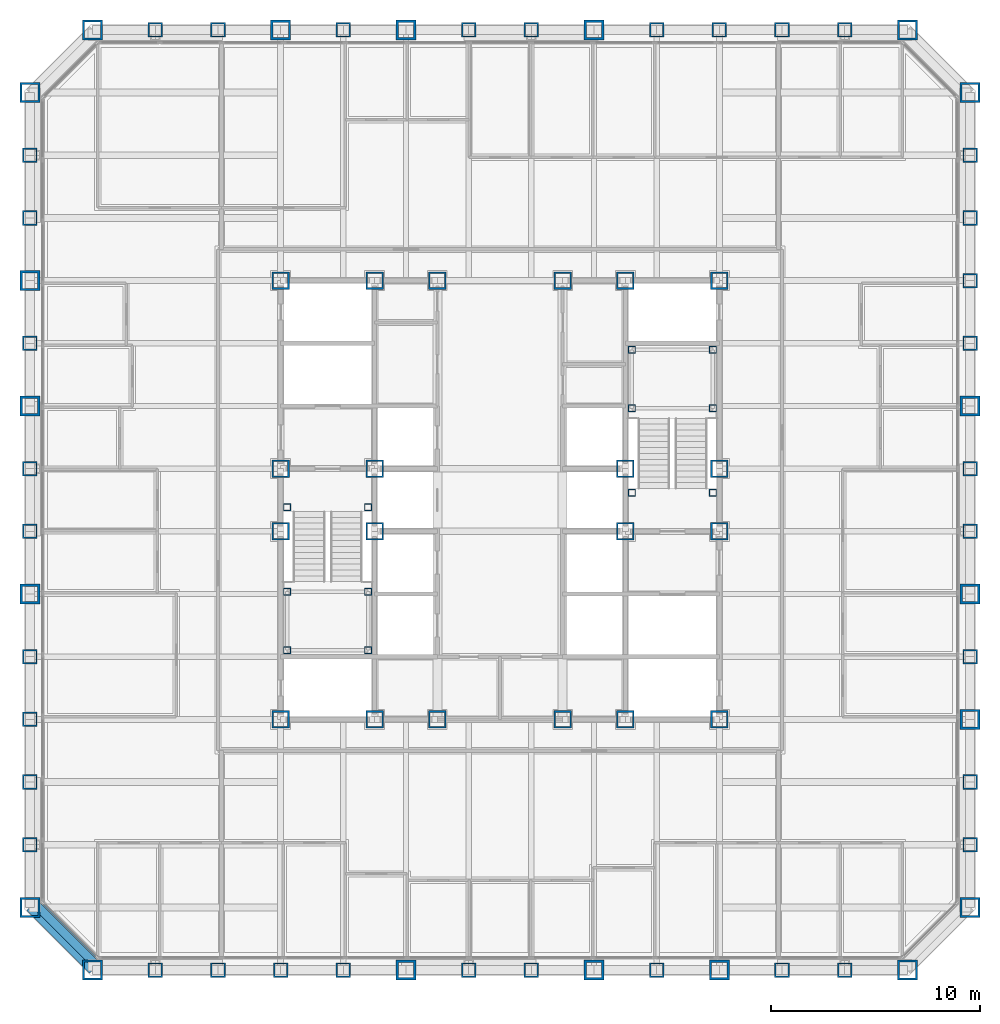
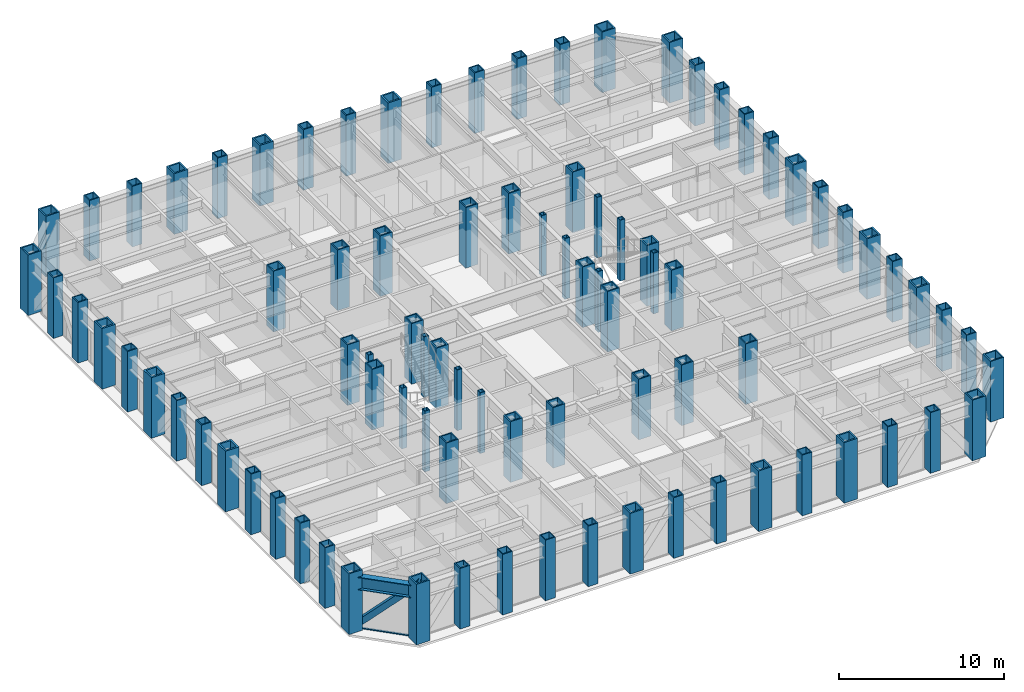
# One storey, part 1 of 16: 88 columns, 2 members, 1 beam, 1 element without a shape of its own.
"""IFC4 building model written with IfcOpenShell, lengths in metres."""

import ifcopenshell
import ifcopenshell.guid

model = None  # the IFC model being written
_history = None  # IfcOwnerHistory: only IFC2X3 demands one
_inside = {}  # id of a spatial element -> (the spatial element, [elements in it])
_under = {}  # id of a project, library or spatial element -> (it, [spatial elements below it])
_declared = {}  # id of a project -> (the project, [libraries it declares])
_typed = {}  # id of a type object -> (the type object, [elements of that type])
_made_of = {}  # id of a material, layer set ... -> (it, [elements and type objects made of it])


def new_model(schema):
    """Start an empty IFC model of exactly this schema.

    Asked for "IFC4X3", IfcOpenShell would pick the latest addendum, in which some entities
    have other attributes; the version numbers below select the first issue.
    IFC2X3 requires an IfcOwnerHistory on every rooted entity: one is made here for all.
    """
    global model, _history
    if schema == "IFC4X3":
        model = ifcopenshell.file(schema_version=(4, 3, 0, 0))
    else:
        model = ifcopenshell.file(schema=schema)
    _inside.clear()
    _under.clear()
    _declared.clear()
    _typed.clear()
    _made_of.clear()
    _history = None
    if model.schema == "IFC2X3":
        org = make("IfcOrganization", Name="unknown")
        user = make(
            "IfcPersonAndOrganization",
            ThePerson=make("IfcPerson", FamilyName="unknown"),
            TheOrganization=org,
        )
        app = make(
            "IfcApplication",
            ApplicationDeveloper=org,
            Version="unknown",
            ApplicationFullName="unknown",
            ApplicationIdentifier="unknown",
        )
        _history = make(
            "IfcOwnerHistory",
            OwningUser=user,
            OwningApplication=app,
            ChangeAction="ADDED",
            CreationDate=0,
        )
    return model


def make(cls, **values):
    """One entity of the class cls with the attributes given. An attribute that is None is left unset."""
    return model.create_entity(
        cls, **{name: value for name, value in values.items() if value is not None}
    )


def rooted(cls, **values):
    """An entity with a GlobalId (a new one), such as an element, a storey or a relation."""
    return make(cls, GlobalId=ifcopenshell.guid.new(), OwnerHistory=_history, **values)


def si_unit(unit_type, name, prefix=None):
    """IfcSIUnit, for example si_unit("LENGTHUNIT", "METRE", prefix="MILLI")."""
    return make("IfcSIUnit", UnitType=unit_type, Prefix=prefix, Name=name)


def assignment(units):
    """IfcUnitAssignment: the units of a project."""
    return None if units is None else make("IfcUnitAssignment", Units=units)


def point(xyz):
    """IfcCartesianPoint."""
    return None if xyz is None else make("IfcCartesianPoint", Coordinates=xyz)


def direction(xyz):
    """IfcDirection."""
    return None if xyz is None else make("IfcDirection", DirectionRatios=xyz)


def frame(location, z_axis=None, x_axis=None):
    """IfcAxis2Placement3D, a coordinate frame: its origin and axes. An axis left out is left unset."""
    return make(
        "IfcAxis2Placement3D",
        Location=point(location),
        Axis=direction(z_axis),
        RefDirection=direction(x_axis),
    )


def frame_2d(location, x_axis=None):
    """IfcAxis2Placement2D, a coordinate frame in the plane: its origin and x axis."""
    return make(
        "IfcAxis2Placement2D", Location=point(location), RefDirection=direction(x_axis)
    )


def origin():
    """The frame at (0, 0, 0) with its axes left unset."""
    return frame((0.0, 0.0, 0.0))


def origin_2d():
    """The frame at (0, 0) in the plane with its x axis left unset."""
    return frame_2d((0.0, 0.0))


def place(relative_to, where):
    """IfcLocalPlacement: puts the frame where relative to a parent placement (None: the world)."""
    return make(
        "IfcLocalPlacement", PlacementRelTo=relative_to, RelativePlacement=where
    )


def context(
    kind, dimensions, precision=None, world=None, true_north=None, identifier=None
):
    """IfcGeometricRepresentationContext, for example the 3D "Model" context."""
    return make(
        "IfcGeometricRepresentationContext",
        ContextIdentifier=identifier,
        ContextType=kind,
        CoordinateSpaceDimension=dimensions,
        Precision=precision,
        WorldCoordinateSystem=world,
        TrueNorth=true_north,
    )


def subcontext(parent, identifier, kind, view, scale=None):
    """IfcGeometricRepresentationSubContext, for example "Body" below "Model"."""
    return make(
        "IfcGeometricRepresentationSubContext",
        ContextIdentifier=identifier,
        ContextType=kind,
        ParentContext=parent,
        TargetScale=scale,
        TargetView=view,
    )


def project(units=None, contexts=None):
    """IfcProject with its units and contexts."""
    return rooted(
        "IfcProject",
        Name="project",
        RepresentationContexts=contexts,
        UnitsInContext=assignment(units),
    )


def spatial(cls, under=None, at=None, **own):
    """A site, building, storey or space (cls), placed at a placement, below another one or the project."""
    s = rooted(cls, ObjectPlacement=at, **own)
    if under is not None:
        _under.setdefault(under.id(), (under, []))[1].append(s)
    return s


def profile(cls, at=None, kind="AREA", **sizes):
    """A parametric profile (cls). Its sizes go by their IFC names, for example OverallWidth=200.0."""
    return make(cls, ProfileType=kind, Position=at, **sizes)


def rectangle(**sizes):
    """IfcRectangleProfileDef."""
    return profile("IfcRectangleProfileDef", **sizes)


def hollow_rectangle(**sizes):
    """IfcRectangleHollowProfileDef."""
    return profile("IfcRectangleHollowProfileDef", **sizes)


def i_section(**sizes):
    """IfcIShapeProfileDef."""
    return profile("IfcIShapeProfileDef", **sizes)


def extrude(swept, where, along, depth):
    """IfcExtrudedAreaSolid: the profile swept, set in the frame where, extruded along a direction by depth."""
    return make(
        "IfcExtrudedAreaSolid",
        SweptArea=swept,
        Position=where,
        ExtrudedDirection=direction(along),
        Depth=depth,
    )


def shape(context_of_items, identifier, shape_type, items):
    """IfcShapeRepresentation: the items that make up one representation, for example the "Body"."""
    return make(
        "IfcShapeRepresentation",
        ContextOfItems=context_of_items,
        RepresentationIdentifier=identifier,
        RepresentationType=shape_type,
        Items=items,
    )


def material(Name=None, Category=None):
    """IfcMaterial."""
    return make("IfcMaterial", Name=Name, Category=Category)


def layer(
    of_material, thickness, ventilated=None, Name=None, Category=None, Priority=None
):
    """IfcMaterialLayer: one layer of a wall or slab, of a material (None: an air gap)."""
    return make(
        "IfcMaterialLayer",
        Material=of_material,
        LayerThickness=thickness,
        IsVentilated=ventilated,
        Name=Name,
        Category=Category,
        Priority=Priority,
    )


def layer_set(layers, Name=None):
    """IfcMaterialLayerSet."""
    return make("IfcMaterialLayerSet", MaterialLayers=layers, LayerSetName=Name)


def material_profile(
    of_material, cross_section, Name=None, Category=None, Priority=None
):
    """IfcMaterialProfile: a cross section and its material."""
    return make(
        "IfcMaterialProfile",
        Name=Name,
        Material=of_material,
        Profile=cross_section,
        Priority=Priority,
        Category=Category,
    )


def profile_set(profiles, Name=None, composite=None):
    """IfcMaterialProfileSet."""
    return make(
        "IfcMaterialProfileSet",
        Name=Name,
        MaterialProfiles=profiles,
        CompositeProfile=composite,
    )


def made_of(thing, what):
    """Note that an element or type object is made of a material, layer set ...; save() writes the relation."""
    if what is not None:
        _made_of.setdefault(what.id(), (what, []))[1].append(thing)
    return thing


def type_object(cls, material=None, **own):
    """A type object (cls), such as IfcWallType, which elements share."""
    return made_of(rooted(cls, **own), material)


def element(
    cls,
    number,
    at=None,
    inside=None,
    cuts=None,
    type_object=None,
    material=None,
    context=None,
    identifier="Body",
    shape_type=None,
    held_by="IfcProductDefinitionShape",
    body=None,
    shapes=None,
    **own,
):
    """One element of the class cls, such as IfcWall. Its Tag is "e" and its number.

    at: its placement. inside: the storey or other place that contains it. cuts: it is an
    opening in that element (IfcRelVoidsElement). A single representation is given by context,
    identifier, shape_type and body (its items); several are given by shapes. held_by: the class
    of the entity that holds the representations. save() writes the other relations.
    """
    e = rooted(cls, Tag="e%d" % number, ObjectPlacement=at, **own)
    if body is not None:
        shapes = [shape(context, identifier, shape_type, body)]
    if shapes is not None:
        e.Representation = make(held_by, Representations=shapes)
    if inside is not None:
        _inside.setdefault(inside.id(), (inside, []))[1].append(e)
    if cuts is not None:
        rooted(
            "IfcRelVoidsElement", RelatingBuildingElement=cuts, RelatedOpeningElement=e
        )
    if type_object is not None:
        _typed.setdefault(type_object.id(), (type_object, []))[1].append(e)
    return made_of(e, material)


def aggregate(whole, parts):
    """IfcRelAggregates: a whole, such as a stair, and the parts it consists of."""
    return rooted("IfcRelAggregates", RelatingObject=whole, RelatedObjects=parts)


def save(model, path):
    """Write the relations noted so far, then the file.

    IfcRelAggregates (storeys below a building ...), IfcRelContainedInSpatialStructure (elements
    in a storey), IfcRelDefinesByType, IfcRelAssociatesMaterial and IfcRelDeclares: one each for
    every whole, place, type object, material and project.
    """
    for whole, parts in _under.values():
        aggregate(whole, parts)
    for where, things in _inside.values():
        rooted(
            "IfcRelContainedInSpatialStructure",
            RelatedElements=things,
            RelatingStructure=where,
        )
    for kind, things in _typed.values():
        rooted("IfcRelDefinesByType", RelatedObjects=things, RelatingType=kind)
    for what, things in _made_of.values():
        rooted("IfcRelAssociatesMaterial", RelatedObjects=things, RelatingMaterial=what)
    for by, libraries in _declared.values():
        rooted("IfcRelDeclares", RelatingContext=by, RelatedDefinitions=libraries)
    model.write(path)


model = new_model("IFC4")

# Units and contexts
model_context = context("Model", 3, precision=1e-05, world=origin(), true_north=direction((0.0, 1.0)))
body_context = subcontext(model_context, "Body", "Model", "MODEL_VIEW")
ifc_project = project(units=[si_unit("LENGTHUNIT", "METRE"), si_unit("AREAUNIT", "SQUARE_METRE"), si_unit("VOLUMEUNIT", "CUBIC_METRE"), si_unit("PLANEANGLEUNIT", "RADIAN"), si_unit("MASSUNIT", "GRAM", prefix="KILO")], contexts=[model_context])

# Site, building, storey
site_placement = place(None, origin())
site = spatial("IfcSite", under=ifc_project, at=site_placement, CompositionType="ELEMENT")
building_placement = place(site_placement, origin())
building = spatial("IfcBuilding", under=site, at=building_placement, Name="Chuquiago Exchange Tower", CompositionType="ELEMENT")
storey_placement = place(building_placement, frame((0.0, 0.0, 73.800048828125)))
storey = spatial("IfcBuildingStorey", under=building, at=storey_placement, Name="L15", CompositionType="ELEMENT", Elevation=73.800048828125)

# Columns
ifc_material_1 = material(Name="Steel ASTM A572 Grade 50", Category="steel")
ifc_material_profile_1 = material_profile(ifc_material_1, hollow_rectangle(XDim=0.699951171875, YDim=0.699951171875, WallThickness=0.070068359375, at=origin_2d()), Name="BOX700X700X70")
ifc_profile_set_1 = profile_set([ifc_material_profile_1], Name="Steel ASTM A572 Grade 50")
column_type_1 = type_object("IfcColumnType", Name="C2 BOX700X700X70", PredefinedType="COLUMN", material=ifc_profile_set_1)
for number, where, z_axis, x_axis, name in (
    (1, (6.0, 0.0, 0.0), (0.0, 0.0, 1.0), (0.0, -1.0, 0.0), "COL-L15-6_0"),
    (2, (9.0, 0.0, 0.0), (0.0, 0.0, 1.0), (0.0, -1.0, 0.0), "COL-L15-9_0"),
    (3, (12.0, 0.0, 0.0), (0.0, 0.0, 1.0), (0.0, -1.0, 0.0), "COL-L15-12_0"),
    (4, (15.0, 0.0, 0.0), (0.0, 0.0, 1.0), (0.0, -1.0, 0.0), "COL-L15-15_0"),
    (5, (21.0, 0.0, 0.0), (0.0, 0.0, 1.0), (0.0, -1.0, 0.0), "COL-L15-21_0"),
    (6, (24.0, 0.0, 0.0), (0.0, 0.0, 1.0), (0.0, -1.0, 0.0), "COL-L15-24_0"),
    (7, (30.0, 0.0, 0.0), (0.0, 0.0, 1.0), (0.0, -1.0, 0.0), "COL-L15-30_0"),
    (8, (36.0, 0.0, 0.0), (0.0, 0.0, 1.0), (0.0, -1.0, 0.0), "COL-L15-36_0"),
    (9, (39.0, 0.0, 0.0), (0.0, 0.0, 1.0), (0.0, -1.0, 0.0), "COL-L15-39_0"),
    (10, (45.0, 6.0, 0.0), (0.0, 0.0, 1.0), (1.0, 0.0, 0.0), "COL-L15-45_6"),
    (11, (45.0, 9.0, 0.0), (0.0, 0.0, 1.0), (1.0, 0.0, 0.0), "COL-L15-45_9"),
    (12, (45.0, 15.0, 0.0), (0.0, 0.0, 1.0), (1.0, 0.0, 0.0), "COL-L15-45_15"),
    (13, (45.0, 21.0, 0.0), (0.0, 0.0, 1.0), (1.0, 0.0, 0.0), "COL-L15-45_21"),
    (14, (45.0, 24.0, 0.0), (0.0, 0.0, 1.0), (1.0, 0.0, 0.0), "COL-L15-45_24"),
    (15, (45.0, 30.0, 0.0), (0.0, 0.0, 1.0), (1.0, 0.0, 0.0), "COL-L15-45_30"),
    (16, (45.0, 33.0, 0.0), (0.0, 0.0, 1.0), (1.0, 0.0, 0.0), "COL-L15-45_33"),
    (17, (45.0, 36.0, 0.0), (0.0, 0.0, 1.0), (1.0, 0.0, 0.0), "COL-L15-45_36"),
    (18, (45.0, 39.0, 0.0), (0.0, 0.0, 1.0), (1.0, 0.0, 0.0), "COL-L15-45_39"),
    (19, (39.0, 45.0, 0.0), (0.0, 0.0, 1.0), (0.0, 1.0, 0.0), "COL-L15-39_45"),
    (20, (36.0, 45.0, 0.0), (0.0, 0.0, 1.0), (0.0, 1.0, 0.0), "COL-L15-36_45"),
    (21, (33.0, 45.0, 0.0), (0.0, 0.0, 1.0), (0.0, 1.0, 0.0), "COL-L15-33_45"),
    (22, (30.0, 45.0, 0.0), (0.0, 0.0, 1.0), (0.0, 1.0, 0.0), "COL-L15-30_45"),
    (23, (24.0, 45.0, 0.0), (0.0, 0.0, 1.0), (0.0, 1.0, 0.0), "COL-L15-24_45"),
    (24, (21.0, 45.0, 0.0), (0.0, 0.0, 1.0), (0.0, 1.0, 0.0), "COL-L15-21_45"),
    (25, (15.0, 45.0, 0.0), (0.0, 0.0, 1.0), (0.0, 1.0, 0.0), "COL-L15-15_45"),
    (26, (9.0, 45.0, 0.0), (0.0, 0.0, 1.0), (0.0, 1.0, 0.0), "COL-L15-9_45"),
    (27, (6.0, 45.0, 0.0), (0.0, 0.0, 1.0), (0.0, 1.0, 0.0), "COL-L15-6_45"),
    (28, (0.0, 39.0, 0.0), (0.0, 0.0, 1.0), (-1.0, 0.0, 0.0), "COL-L15-0_39"),
    (29, (0.0, 36.0, 0.0), (0.0, 0.0, 1.0), (-1.0, 0.0, 0.0), "COL-L15-0_36"),
    (30, (0.0, 30.0, 0.0), (0.0, 0.0, 1.0), (-1.0, 0.0, 0.0), "COL-L15-0_30"),
    (31, (0.0, 24.0, 0.0), (0.0, 0.0, 1.0), (-1.0, 0.0, 0.0), "COL-L15-0_24"),
    (32, (0.0, 21.0, 0.0), (0.0, 0.0, 1.0), (-1.0, 0.0, 0.0), "COL-L15-0_21"),
    (33, (0.0, 15.0, 0.0), (0.0, 0.0, 1.0), (-1.0, 0.0, 0.0), "COL-L15-0_15"),
    (34, (0.0, 12.0, 0.0), (0.0, 0.0, 1.0), (-1.0, 0.0, 0.0), "COL-L15-0_12"),
    (35, (0.0, 9.0, 0.0), (0.0, 0.0, 1.0), (-1.0, 0.0, 0.0), "COL-L15-0_9"),
    (36, (0.0, 6.0, 0.0), (0.0, 0.0, 1.0), (-1.0, 0.0, 0.0), "COL-L15-0_6"),
):
    element("IfcColumn", number, at=place(storey_placement, frame(where, z_axis=z_axis, x_axis=x_axis)), inside=storey, type_object=column_type_1, Name=name, PredefinedType="COLUMN", context=body_context, shape_type="SweptSolid", body=[
        extrude(hollow_rectangle(XDim=0.699951171875, YDim=0.699951171875, WallThickness=0.070068359375, at=origin_2d()), origin(), (0.0, 0.0, 1.0), 4.5),
    ])
ifc_material_2 = material(Name="Steel ASTM A572 Grade 50", Category="steel")
ifc_material_profile_2 = material_profile(ifc_material_2, hollow_rectangle(XDim=0.85009765625, YDim=0.85009765625, WallThickness=0.0849609375, at=origin_2d()), Name="BOX850X850X85")
ifc_profile_set_2 = profile_set([ifc_material_profile_2], Name="Steel ASTM A572 Grade 50")
column_type_2 = type_object("IfcColumnType", Name="CC2 BOX850X850X85", PredefinedType="COLUMN", material=ifc_profile_set_2)
for number, where, z_axis, x_axis, name in (
    (37, (16.5, 12.0, 0.0), (0.0, 0.0, 1.0), (1.0, 0.0, 0.0), "CCOL-L15-16.5_12"),
    (38, (19.5, 12.0, 0.0), (0.0, 0.0, 1.0), (1.0, 0.0, 0.0), "CCOL-L15-19.5_12"),
    (39, (25.5, 12.0, 0.0), (0.0, 0.0, 1.0), (1.0, 0.0, 0.0), "CCOL-L15-25.5_12"),
    (40, (28.5, 12.0, 0.0), (0.0, 0.0, 1.0), (1.0, 0.0, 0.0), "CCOL-L15-28.5_12"),
    (41, (16.5, 33.0, 0.0), (0.0, 0.0, 1.0), (1.0, 0.0, 0.0), "CCOL-L15-16.5_33"),
    (42, (19.5, 33.0, 0.0), (0.0, 0.0, 1.0), (1.0, 0.0, 0.0), "CCOL-L15-19.5_33"),
    (43, (25.5, 33.0, 0.0), (0.0, 0.0, 1.0), (1.0, 0.0, 0.0), "CCOL-L15-25.5_33"),
    (44, (28.5, 33.0, 0.0), (0.0, 0.0, 1.0), (1.0, 0.0, 0.0), "CCOL-L15-28.5_33"),
    (45, (12.0, 21.0, 0.0), (0.0, 0.0, 1.0), (1.0, 0.0, 0.0), "CCOL-L15-12_21"),
    (46, (12.0, 24.0, 0.0), (0.0, 0.0, 1.0), (1.0, 0.0, 0.0), "CCOL-L15-12_24"),
    (47, (33.0, 21.0, 0.0), (0.0, 0.0, 1.0), (1.0, 0.0, 0.0), "CCOL-L15-33_21"),
    (48, (33.0, 24.0, 0.0), (0.0, 0.0, 1.0), (1.0, 0.0, 0.0), "CCOL-L15-33_24"),
    (49, (16.5, 21.0, 0.0), (0.0, 0.0, 1.0), (1.0, 0.0, 0.0), "CCOL-L15-16.5_21"),
    (50, (16.5, 24.0, 0.0), (0.0, 0.0, 1.0), (1.0, 0.0, 0.0), "CCOL-L15-16.5_24"),
    (51, (28.5, 21.0, 0.0), (0.0, 0.0, 1.0), (1.0, 0.0, 0.0), "CCOL-L15-28.5_21"),
    (52, (28.5, 24.0, 0.0), (0.0, 0.0, 1.0), (1.0, 0.0, 0.0), "CCOL-L15-28.5_24"),
):
    element("IfcColumn", number, at=place(storey_placement, frame(where, z_axis=z_axis, x_axis=x_axis)), inside=storey, type_object=column_type_2, Name=name, PredefinedType="COLUMN", context=body_context, shape_type="SweptSolid", body=[
        extrude(hollow_rectangle(XDim=0.85009765625, YDim=0.85009765625, WallThickness=0.0849609375, at=origin_2d()), origin(), (0.0, 0.0, 1.0), 4.5),
    ])
ifc_material_3 = material(Name="Steel ASTM A572 Grade 50", Category="steel")
ifc_material_profile_3 = material_profile(ifc_material_3, hollow_rectangle(XDim=0.85009765625, YDim=0.85009765625, WallThickness=0.0849609375, at=origin_2d()), Name="BOX850X850X85")
ifc_profile_set_3 = profile_set([ifc_material_profile_3], Name="Steel ASTM A572 Grade 50")
column_type_3 = type_object("IfcColumnType", Name="CC6 BOX850X850X85", PredefinedType="COLUMN", material=ifc_profile_set_3)
for number, where, z_axis, x_axis, name in (
    (53, (12.0, 12.0, 0.0), (0.0, 0.0, 1.0), (1.0, 0.0, 0.0), "CCOL-L15-12_12"),
    (54, (33.0, 12.0, 0.0), (0.0, 0.0, 1.0), (1.0, 0.0, 0.0), "CCOL-L15-33_12"),
    (55, (12.0, 33.0, 0.0), (0.0, 0.0, 1.0), (1.0, 0.0, 0.0), "CCOL-L15-12_33"),
    (56, (33.0, 33.0, 0.0), (0.0, 0.0, 1.0), (1.0, 0.0, 0.0), "CCOL-L15-33_33"),
):
    element("IfcColumn", number, at=place(storey_placement, frame(where, z_axis=z_axis, x_axis=x_axis)), inside=storey, type_object=column_type_3, Name=name, PredefinedType="COLUMN", context=body_context, shape_type="SweptSolid", body=[
        extrude(hollow_rectangle(XDim=0.85009765625, YDim=0.85009765625, WallThickness=0.0849609375, at=origin_2d()), origin(), (0.0, 0.0, 1.0), 4.5),
    ])
ifc_material_4 = material(Name="Steel ASTM A572 Grade 50", Category="steel")
ifc_material_profile_4 = material_profile(ifc_material_4, hollow_rectangle(XDim=0.949951171875, YDim=0.949951171875, WallThickness=0.094970703125, at=origin_2d()), Name="BOX950X950X95")
ifc_profile_set_4 = profile_set([ifc_material_profile_4], Name="Steel ASTM A572 Grade 50")
column_type_4 = type_object("IfcColumnType", Name="CN1 BOX950X950X95", PredefinedType="COLUMN", material=ifc_profile_set_4)
for number, where, z_axis, x_axis, name in (
    (57, (3.0, 0.0, 0.0), (0.0, 0.0, 1.0), (0.0, -1.0, 0.0), "COL-L15-3_0"),
    (58, (42.0, 0.0, 0.0), (0.0, 0.0, 1.0), (0.0, -1.0, 0.0), "COL-L15-42_0"),
    (59, (45.0, 3.0, 0.0), (0.0, 0.0, 1.0), (1.0, 0.0, 0.0), "COL-L15-45_3"),
    (60, (45.0, 42.0, 0.0), (0.0, 0.0, 1.0), (1.0, 0.0, 0.0), "COL-L15-45_42"),
    (61, (42.0, 45.0, 0.0), (0.0, 0.0, 1.0), (0.0, 1.0, 0.0), "COL-L15-42_45"),
    (62, (3.0, 45.0, 0.0), (0.0, 0.0, 1.0), (0.0, 1.0, 0.0), "COL-L15-3_45"),
    (63, (0.0, 42.0, 0.0), (0.0, 0.0, 1.0), (-1.0, 0.0, 0.0), "COL-L15-0_42"),
    (64, (0.0, 3.0, 0.0), (0.0, 0.0, 1.0), (-1.0, 0.0, 0.0), "COL-L15-0_3"),
):
    element("IfcColumn", number, at=place(storey_placement, frame(where, z_axis=z_axis, x_axis=x_axis)), inside=storey, type_object=column_type_4, Name=name, PredefinedType="COLUMN", context=body_context, shape_type="SweptSolid", body=[
        extrude(hollow_rectangle(XDim=0.949951171875, YDim=0.949951171875, WallThickness=0.094970703125, at=origin_2d()), origin(), (0.0, 0.0, 1.0), 4.5),
    ])
ifc_material_5 = material(Name="Steel ASTM A572 Grade 42", Category="steel")
ifc_material_profile_5 = material_profile(ifc_material_5, hollow_rectangle(XDim=0.949951171875, YDim=0.949951171875, WallThickness=0.110107421875, at=origin_2d()), Name="BOX950X950X110")
ifc_profile_set_5 = profile_set([ifc_material_profile_5], Name="Steel ASTM A572 Grade 42")
column_type_5 = type_object("IfcColumnType", Name="CT1 BOX950X950X110", PredefinedType="COLUMN", material=ifc_profile_set_5)
for number, where, z_axis, x_axis, name in (
    (65, (18.0, 0.0, 0.0), (0.0, 0.0, 1.0), (0.0, -1.0, 0.0), "COL-L15-18_0"),
    (66, (27.0, 0.0, 0.0), (0.0, 0.0, 1.0), (0.0, -1.0, 0.0), "COL-L15-27_0"),
    (67, (33.0, 0.0, 0.0), (0.0, 0.0, 1.0), (0.0, -1.0, 0.0), "COL-L15-33_0"),
    (68, (45.0, 12.0, 0.0), (0.0, 0.0, 1.0), (1.0, 0.0, 0.0), "COL-L15-45_12"),
    (69, (45.0, 18.0, 0.0), (0.0, 0.0, 1.0), (1.0, 0.0, 0.0), "COL-L15-45_18"),
    (70, (45.0, 27.0, 0.0), (0.0, 0.0, 1.0), (1.0, 0.0, 0.0), "COL-L15-45_27"),
    (71, (27.0, 45.0, 0.0), (0.0, 0.0, 1.0), (0.0, 1.0, 0.0), "COL-L15-27_45"),
    (72, (18.0, 45.0, 0.0), (0.0, 0.0, 1.0), (0.0, 1.0, 0.0), "COL-L15-18_45"),
    (73, (12.0, 45.0, 0.0), (0.0, 0.0, 1.0), (0.0, 1.0, 0.0), "COL-L15-12_45"),
    (74, (0.0, 33.0, 0.0), (0.0, 0.0, 1.0), (-1.0, 0.0, 0.0), "COL-L15-0_33"),
    (75, (0.0, 27.0, 0.0), (0.0, 0.0, 1.0), (-1.0, 0.0, 0.0), "COL-L15-0_27"),
    (76, (0.0, 18.0, 0.0), (0.0, 0.0, 1.0), (-1.0, 0.0, 0.0), "COL-L15-0_18"),
):
    element("IfcColumn", number, at=place(storey_placement, frame(where, z_axis=z_axis, x_axis=x_axis)), inside=storey, type_object=column_type_5, Name=name, PredefinedType="COLUMN", context=body_context, shape_type="SweptSolid", body=[
        extrude(hollow_rectangle(XDim=0.949951171875, YDim=0.949951171875, WallThickness=0.110107421875, at=origin_2d()), origin(), (0.0, 0.0, 1.0), 4.5),
    ])
ifc_material_6 = material(Name="Steel ASTM A572 Grade 50", Category="steel")
ifc_material_profile_6 = material_profile(ifc_material_6, hollow_rectangle(XDim=0.35009765625, YDim=0.35009765625, WallThickness=0.034912109375, at=origin_2d()), Name="BOX350X350X35")
ifc_profile_set_6 = profile_set([ifc_material_profile_6], Name="Steel ASTM A572 Grade 50")
column_type_6 = type_object("IfcColumnType", Name="PT3 BOX350X350X35", PredefinedType="COLUMN", material=ifc_profile_set_6)
for number, where, z_axis, x_axis, name in (
    (77, (12.31005859375, 15.31005859375, 0.0), (0.0, 0.0, 1.0), (1.0, 0.0, 0.0), "Stair ST1 L15 landing post"),
    (78, (16.18994140625, 15.31005859375, 0.0), (0.0, 0.0, 1.0), (1.0, 0.0, 0.0), "Stair ST1 L15 landing post"),
    (79, (12.31005859375, 18.110107421875, 0.0), (0.0, 0.0, 1.0), (1.0, 0.0, 0.0), "Stair ST1 L15 landing post"),
    (80, (16.18994140625, 18.110107421875, 0.0), (0.0, 0.0, 1.0), (1.0, 0.0, 0.0), "Stair ST1 L15 landing post"),
    (81, (12.31005859375, 22.14990234375, 0.0), (0.0, 0.0, 1.0), (1.0, 0.0, 0.0), "Stair ST1 L15 landing post"),
    (82, (16.18994140625, 22.14990234375, 0.0), (0.0, 0.0, 1.0), (1.0, 0.0, 0.0), "Stair ST1 L15 landing post"),
    (83, (28.81005859375, 29.68994140625, 0.0), (0.0, 0.0, 1.0), (1.0, 0.0, 0.0), "Stair ST2 L15 landing post"),
    (84, (32.68994140625, 29.68994140625, 0.0), (0.0, 0.0, 1.0), (1.0, 0.0, 0.0), "Stair ST2 L15 landing post"),
    (85, (28.81005859375, 26.889892578125, 0.0), (0.0, 0.0, 1.0), (1.0, 0.0, 0.0), "Stair ST2 L15 landing post"),
    (86, (32.68994140625, 26.889892578125, 0.0), (0.0, 0.0, 1.0), (1.0, 0.0, 0.0), "Stair ST2 L15 landing post"),
    (87, (28.81005859375, 22.85009765625, 0.0), (0.0, 0.0, 1.0), (1.0, 0.0, 0.0), "Stair ST2 L15 landing post"),
    (88, (32.68994140625, 22.85009765625, 0.0), (0.0, 0.0, 1.0), (1.0, 0.0, 0.0), "Stair ST2 L15 landing post"),
):
    element("IfcColumn", number, at=place(storey_placement, frame(where, z_axis=z_axis, x_axis=x_axis)), inside=storey, type_object=column_type_6, Name=name, PredefinedType="COLUMN", context=body_context, shape_type="SweptSolid", body=[
        extrude(hollow_rectangle(XDim=0.35009765625, YDim=0.35009765625, WallThickness=0.034912109375, at=origin_2d()), origin(), (0.0, 0.0, 1.0), 4.5),
    ])

# Curtain wall, member
ifc_material_7 = material(Name="Aluminium curtain wall system", Category="aluminium")
ifc_layer = layer(ifc_material_7, 0.199951171875)
ifc_layer_set = layer_set([ifc_layer], Name="CW3 facet curtain wall")
curtain_wall_type = type_object("IfcCurtainWallType", Name="CW3 facet curtain wall", PredefinedType="NOTDEFINED", material=ifc_layer_set)
curtain_wall_placement = place(storey_placement, origin())
curtain_wall = element("IfcCurtainWall", 89, at=curtain_wall_placement, inside=storey, type_object=curtain_wall_type, Name="CW3 curtain wall L15", PredefinedType="NOTDEFINED")
ifc_material_8 = material(Name="Aluminium transom, pale anodised", Category="aluminium")
ifc_material_profile_7 = material_profile(ifc_material_8, rectangle(XDim=0.139892578125, YDim=0.06494140625, at=origin_2d()), Name="AL 140x65")
ifc_profile_set_7 = profile_set([ifc_material_profile_7], Name="Aluminium transom, pale anodised")
member_type_1 = type_object("IfcMemberType", Name="CW3-T transom 65x140", PredefinedType="MULLION", material=ifc_profile_set_7)
member_1_placement = place(storey_placement, frame((0.64599609375, 3.20263671875, -0.267578125), z_axis=(0.707106781187, -0.707106781187, 0.0), x_axis=(0.707106781187, 0.707106781187, 0.0)))
member_1 = element("IfcMember", 90, at=member_1_placement, type_object=member_type_1, Name="CW3 transom 1.1", PredefinedType="MULLION", context=body_context, shape_type="SweptSolid", body=[
    extrude(rectangle(XDim=0.139892578125, YDim=0.06494140625, at=origin_2d()), origin(), (0.0, 0.0, 1.0), 3.61572265625),
])
aggregate(curtain_wall, [member_1])

# Member
ifc_material_9 = material(Name="Steel ASTM A500 Grade C", Category="steel")
ifc_material_profile_8 = material_profile(ifc_material_9, hollow_rectangle(XDim=0.406494140625, YDim=0.406494140625, WallThickness=0.0146484375, at=origin_2d()), Name="HSS16X16X5/8")
ifc_profile_set_8 = profile_set([ifc_material_profile_8], Name="Steel ASTM A500 Grade C")
member_type_2 = type_object("IfcMemberType", Name="LB4 HSS16X16X5/8", PredefinedType="BRACE", material=ifc_profile_set_8)
member_2_placement = place(storey_placement, frame((0.21337890625, 3.21337890625, 0.0), z_axis=(0.512077265487, -0.512077265487, 0.689604051861), x_axis=(0.707106781187, 0.707106781187, 0.0)))
element("IfcMember", 91, at=member_2_placement, inside=storey, type_object=member_type_2, Name="LB-L15-0_3-3_0", PredefinedType="BRACE", context=body_context, shape_type="SweptSolid", body=[
    extrude(hollow_rectangle(XDim=0.406494140625, YDim=0.406494140625, WallThickness=0.0146484375, at=origin_2d()), origin(), (0.0, 0.0, 1.0), 5.8583984375),
])

# Beam
ifc_material_10 = material(Name="Steel ASTM A992", Category="steel")
ifc_material_profile_9 = material_profile(ifc_material_10, i_section(OverallWidth=0.424072265625, OverallDepth=0.947509765625, WebThickness=0.02392578125, FlangeThickness=0.042724609375, at=origin_2d()), Name="W36X302")
ifc_profile_set_9 = profile_set([ifc_material_profile_9], Name="Steel ASTM A992")
beam_type = type_object("IfcBeamType", Name="SP1 W36X302", PredefinedType="SPANDREL", material=ifc_profile_set_9)
beam_placement = place(storey_placement, frame((0.0, 3.0, 3.566162109375), z_axis=(0.707106781187, -0.707106781187, 0.0), x_axis=(0.707106781187, 0.707106781187, 0.0)))
element("IfcBeam", 92, at=beam_placement, inside=storey, type_object=beam_type, Name="SPB-L16-0_3-3_0", PredefinedType="SPANDREL", context=body_context, shape_type="SweptSolid", body=[
    extrude(i_section(OverallWidth=0.424072265625, OverallDepth=0.947509765625, WebThickness=0.02392578125, FlangeThickness=0.042724609375, at=origin_2d()), origin(), (0.0, 0.0, 1.0), 4.24267578125),
])

save(model, "model.ifc")
